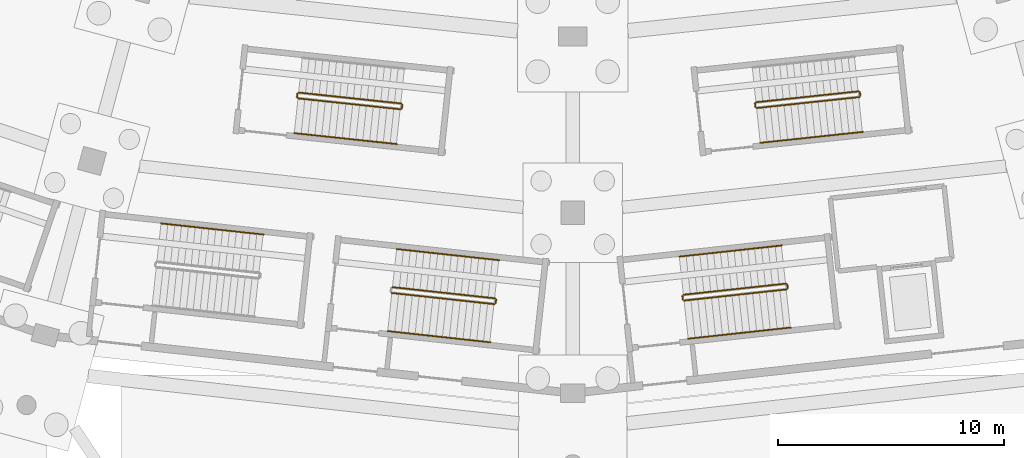
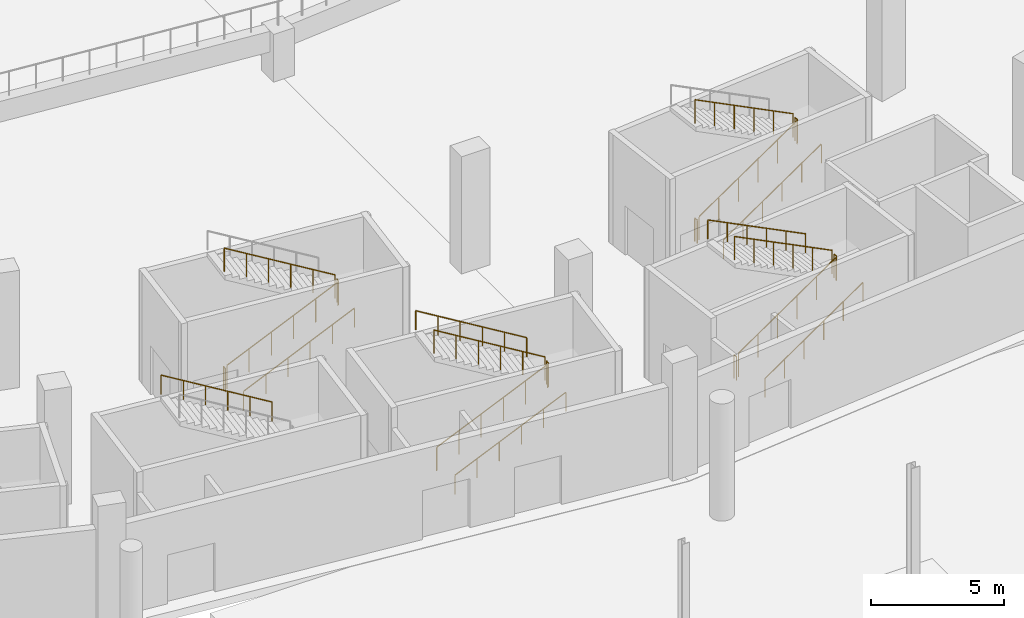
# One storey, part 62 of 103: 22 railings.
"""IFC4 building model written with IfcOpenShell, lengths in metres."""

import ifcopenshell
import ifcopenshell.guid

model = None  # the IFC model being written
_history = None  # IfcOwnerHistory: only IFC2X3 demands one
_inside = {}  # id of a spatial element -> (the spatial element, [elements in it])
_under = {}  # id of a project, library or spatial element -> (it, [spatial elements below it])
_declared = {}  # id of a project -> (the project, [libraries it declares])
_typed = {}  # id of a type object -> (the type object, [elements of that type])
_made_of = {}  # id of a material, layer set ... -> (it, [elements and type objects made of it])


def new_model(schema):
    """Start an empty IFC model of exactly this schema.

    Asked for "IFC4X3", IfcOpenShell would pick the latest addendum, in which some entities
    have other attributes; the version numbers below select the first issue.
    IFC2X3 requires an IfcOwnerHistory on every rooted entity: one is made here for all.
    """
    global model, _history
    if schema == "IFC4X3":
        model = ifcopenshell.file(schema_version=(4, 3, 0, 0))
    else:
        model = ifcopenshell.file(schema=schema)
    _inside.clear()
    _under.clear()
    _declared.clear()
    _typed.clear()
    _made_of.clear()
    _history = None
    if model.schema == "IFC2X3":
        org = make("IfcOrganization", Name="unknown")
        user = make(
            "IfcPersonAndOrganization",
            ThePerson=make("IfcPerson", FamilyName="unknown"),
            TheOrganization=org,
        )
        app = make(
            "IfcApplication",
            ApplicationDeveloper=org,
            Version="unknown",
            ApplicationFullName="unknown",
            ApplicationIdentifier="unknown",
        )
        _history = make(
            "IfcOwnerHistory",
            OwningUser=user,
            OwningApplication=app,
            ChangeAction="ADDED",
            CreationDate=0,
        )
    return model


def make(cls, **values):
    """One entity of the class cls with the attributes given. An attribute that is None is left unset."""
    return model.create_entity(
        cls, **{name: value for name, value in values.items() if value is not None}
    )


def rooted(cls, **values):
    """An entity with a GlobalId (a new one), such as an element, a storey or a relation."""
    return make(cls, GlobalId=ifcopenshell.guid.new(), OwnerHistory=_history, **values)


def si_unit(unit_type, name, prefix=None):
    """IfcSIUnit, for example si_unit("LENGTHUNIT", "METRE", prefix="MILLI")."""
    return make("IfcSIUnit", UnitType=unit_type, Prefix=prefix, Name=name)


def assignment(units):
    """IfcUnitAssignment: the units of a project."""
    return None if units is None else make("IfcUnitAssignment", Units=units)


def point(xyz):
    """IfcCartesianPoint."""
    return None if xyz is None else make("IfcCartesianPoint", Coordinates=xyz)


def direction(xyz):
    """IfcDirection."""
    return None if xyz is None else make("IfcDirection", DirectionRatios=xyz)


def frame(location, z_axis=None, x_axis=None):
    """IfcAxis2Placement3D, a coordinate frame: its origin and axes. An axis left out is left unset."""
    return make(
        "IfcAxis2Placement3D",
        Location=point(location),
        Axis=direction(z_axis),
        RefDirection=direction(x_axis),
    )


def frame_2d(location, x_axis=None):
    """IfcAxis2Placement2D, a coordinate frame in the plane: its origin and x axis."""
    return make(
        "IfcAxis2Placement2D", Location=point(location), RefDirection=direction(x_axis)
    )


def origin():
    """The frame at (0, 0, 0) with its axes left unset."""
    return frame((0.0, 0.0, 0.0))


def origin_2d():
    """The frame at (0, 0) in the plane with its x axis left unset."""
    return frame_2d((0.0, 0.0))


def place(relative_to, where):
    """IfcLocalPlacement: puts the frame where relative to a parent placement (None: the world)."""
    return make(
        "IfcLocalPlacement", PlacementRelTo=relative_to, RelativePlacement=where
    )


def context(
    kind, dimensions, precision=None, world=None, true_north=None, identifier=None
):
    """IfcGeometricRepresentationContext, for example the 3D "Model" context."""
    return make(
        "IfcGeometricRepresentationContext",
        ContextIdentifier=identifier,
        ContextType=kind,
        CoordinateSpaceDimension=dimensions,
        Precision=precision,
        WorldCoordinateSystem=world,
        TrueNorth=true_north,
    )


def subcontext(parent, identifier, kind, view, scale=None):
    """IfcGeometricRepresentationSubContext, for example "Body" below "Model"."""
    return make(
        "IfcGeometricRepresentationSubContext",
        ContextIdentifier=identifier,
        ContextType=kind,
        ParentContext=parent,
        TargetScale=scale,
        TargetView=view,
    )


def project(units=None, contexts=None):
    """IfcProject with its units and contexts."""
    return rooted(
        "IfcProject",
        Name="project",
        RepresentationContexts=contexts,
        UnitsInContext=assignment(units),
    )


def spatial(cls, under=None, at=None, **own):
    """A site, building, storey or space (cls), placed at a placement, below another one or the project."""
    s = rooted(cls, ObjectPlacement=at, **own)
    if under is not None:
        _under.setdefault(under.id(), (under, []))[1].append(s)
    return s


def profile(cls, at=None, kind="AREA", **sizes):
    """A parametric profile (cls). Its sizes go by their IFC names, for example OverallWidth=200.0."""
    return make(cls, ProfileType=kind, Position=at, **sizes)


def circle(**sizes):
    """IfcCircleProfileDef."""
    return profile("IfcCircleProfileDef", **sizes)


def extrude(swept, where, along, depth):
    """IfcExtrudedAreaSolid: the profile swept, set in the frame where, extruded along a direction by depth."""
    return make(
        "IfcExtrudedAreaSolid",
        SweptArea=swept,
        Position=where,
        ExtrudedDirection=direction(along),
        Depth=depth,
    )


def shape(context_of_items, identifier, shape_type, items):
    """IfcShapeRepresentation: the items that make up one representation, for example the "Body"."""
    return make(
        "IfcShapeRepresentation",
        ContextOfItems=context_of_items,
        RepresentationIdentifier=identifier,
        RepresentationType=shape_type,
        Items=items,
    )


def material(Name=None, Category=None):
    """IfcMaterial."""
    return make("IfcMaterial", Name=Name, Category=Category)


def made_of(thing, what):
    """Note that an element or type object is made of a material, layer set ...; save() writes the relation."""
    if what is not None:
        _made_of.setdefault(what.id(), (what, []))[1].append(thing)
    return thing


def type_object(cls, material=None, **own):
    """A type object (cls), such as IfcWallType, which elements share."""
    return made_of(rooted(cls, **own), material)


def element(
    cls,
    number,
    at=None,
    inside=None,
    cuts=None,
    type_object=None,
    material=None,
    context=None,
    identifier="Body",
    shape_type=None,
    held_by="IfcProductDefinitionShape",
    body=None,
    shapes=None,
    **own,
):
    """One element of the class cls, such as IfcWall. Its Tag is "e" and its number.

    at: its placement. inside: the storey or other place that contains it. cuts: it is an
    opening in that element (IfcRelVoidsElement). A single representation is given by context,
    identifier, shape_type and body (its items); several are given by shapes. held_by: the class
    of the entity that holds the representations. save() writes the other relations.
    """
    e = rooted(cls, Tag="e%d" % number, ObjectPlacement=at, **own)
    if body is not None:
        shapes = [shape(context, identifier, shape_type, body)]
    if shapes is not None:
        e.Representation = make(held_by, Representations=shapes)
    if inside is not None:
        _inside.setdefault(inside.id(), (inside, []))[1].append(e)
    if cuts is not None:
        rooted(
            "IfcRelVoidsElement", RelatingBuildingElement=cuts, RelatedOpeningElement=e
        )
    if type_object is not None:
        _typed.setdefault(type_object.id(), (type_object, []))[1].append(e)
    return made_of(e, material)


def aggregate(whole, parts):
    """IfcRelAggregates: a whole, such as a stair, and the parts it consists of."""
    return rooted("IfcRelAggregates", RelatingObject=whole, RelatedObjects=parts)


def save(model, path):
    """Write the relations noted so far, then the file.

    IfcRelAggregates (storeys below a building ...), IfcRelContainedInSpatialStructure (elements
    in a storey), IfcRelDefinesByType, IfcRelAssociatesMaterial and IfcRelDeclares: one each for
    every whole, place, type object, material and project.
    """
    for whole, parts in _under.values():
        aggregate(whole, parts)
    for where, things in _inside.values():
        rooted(
            "IfcRelContainedInSpatialStructure",
            RelatedElements=things,
            RelatingStructure=where,
        )
    for kind, things in _typed.values():
        rooted("IfcRelDefinesByType", RelatedObjects=things, RelatingType=kind)
    for what, things in _made_of.values():
        rooted("IfcRelAssociatesMaterial", RelatedObjects=things, RelatingMaterial=what)
    for by, libraries in _declared.values():
        rooted("IfcRelDeclares", RelatingContext=by, RelatedDefinitions=libraries)
    model.write(path)


model = new_model("IFC4")

# Units and contexts
model_context = context("Model", 3, precision=1e-05, world=origin(), true_north=direction((0.0, 1.0)))
body_context = subcontext(model_context, "Body", "Model", "MODEL_VIEW")
ifc_project = project(units=[si_unit("LENGTHUNIT", "METRE"), si_unit("AREAUNIT", "SQUARE_METRE"), si_unit("VOLUMEUNIT", "CUBIC_METRE"), si_unit("PLANEANGLEUNIT", "RADIAN"), si_unit("MASSUNIT", "GRAM", prefix="KILO")], contexts=[model_context])

# Site, building, storey
site_placement = place(None, origin())
site = spatial("IfcSite", under=ifc_project, at=site_placement, CompositionType="ELEMENT")
building_placement = place(site_placement, origin())
building = spatial("IfcBuilding", under=site, at=building_placement, Name="Zevraka Park Crest Stadium", CompositionType="ELEMENT")
storey_placement = place(building_placement, origin())
storey = spatial("IfcBuildingStorey", under=building, at=storey_placement, Name="L00", CompositionType="ELEMENT", Elevation=0.0)

# Railings
ifc_material_1 = material(Name="Powder-coated tubular steel stairwell guard", Category="steel")
railing_type_1 = type_object("IfcRailingType", Name="GR03", PredefinedType="GUARDRAIL", material=ifc_material_1)
railing_1_placement = place(storey_placement, frame((116.932861328125, 20.80615234375, 0.168701171875)))
element("IfcRailing", 1, at=railing_1_placement, inside=storey, type_object=railing_type_1, Name="L00 ST19 stair guard 1", PredefinedType="GUARDRAIL", context=body_context, shape_type="SweptSolid", body=[
    extrude(circle(Radius=0.02392578125, at=origin_2d()), frame((0.0, 0.0, 1.076171875), z_axis=(0.869861004761, 0.094695266394, 0.484122545352), x_axis=(-0.108223136073, 0.994126628161, 0.0)), (0.0, 0.0, 1.0), 5.228515625),
    extrude(circle(Radius=0.02099609375, at=origin_2d()), origin(), (0.0, 0.0, 1.0), 1.052001953125),
    extrude(circle(Radius=0.02099609375, at=origin_2d()), frame((0.90966796875, 0.09912109375, 0.50634765625)), (0.0, 0.0, 1.0), 1.052001953125),
    extrude(circle(Radius=0.02099609375, at=origin_2d()), frame((1.8193359375, 0.197998046875, 1.012451171875)), (0.0, 0.0, 1.0), 1.052001953125),
    extrude(circle(Radius=0.02099609375, at=origin_2d()), frame((2.728759765625, 0.297119140625, 1.518798828125)), (0.0, 0.0, 1.0), 1.052001953125),
    extrude(circle(Radius=0.02099609375, at=origin_2d()), frame((3.638427734375, 0.39599609375, 2.02490234375)), (0.0, 0.0, 1.0), 1.052001953125),
    extrude(circle(Radius=0.02099609375, at=origin_2d()), frame((4.548095703125, 0.4951171875, 2.53125)), (0.0, 0.0, 1.0), 1.052001953125),
])
railing_2_placement = place(storey_placement, frame((121.525390625, 21.3564453125, 2.699951171875)))
element("IfcRailing", 2, at=railing_2_placement, inside=storey, type_object=railing_type_1, Name="L00 ST19 stair guard 2", PredefinedType="GUARDRAIL", context=body_context, shape_type="SweptSolid", body=[
    extrude(circle(Radius=0.02392578125, at=origin_2d()), frame((0.0, 0.0, 1.076171875), z_axis=(-0.108255734054, 0.994123078921, 0.0), x_axis=(-0.994123078921, -0.108255734054, 0.0)), (0.0, 0.0, 1.0), 0.16015625),
    extrude(circle(Radius=0.02099609375, at=origin_2d()), origin(), (0.0, 0.0, 1.0), 1.052001953125),
    extrude(circle(Radius=0.02099609375, at=origin_2d()), frame((-0.017333984375, 0.1591796875, 0.0)), (0.0, 0.0, 1.0), 1.052001953125),
])
railing_3_placement = place(storey_placement, frame((121.452880859375, 21.559814453125, 2.86865234375)))
element("IfcRailing", 3, at=railing_3_placement, inside=storey, type_object=railing_type_1, Name="L00 ST19 stair guard 3", PredefinedType="GUARDRAIL", context=body_context, shape_type="SweptSolid", body=[
    extrude(circle(Radius=0.02392578125, at=origin_2d()), frame((0.0, 0.0, 1.076171875), z_axis=(-0.869861004761, -0.094695266394, 0.484122545352), x_axis=(0.108223136073, -0.994126628161, 0.0)), (0.0, 0.0, 1.0), 5.228515625),
    extrude(circle(Radius=0.02099609375, at=origin_2d()), origin(), (0.0, 0.0, 1.0), 1.052001953125),
    extrude(circle(Radius=0.02099609375, at=origin_2d()), frame((-0.90966796875, -0.09912109375, 0.50634765625)), (0.0, 0.0, 1.0), 1.052001953125),
    extrude(circle(Radius=0.02099609375, at=origin_2d()), frame((-1.8193359375, -0.197998046875, 1.012451171875)), (0.0, 0.0, 1.0), 1.052001953125),
    extrude(circle(Radius=0.02099609375, at=origin_2d()), frame((-2.728759765625, -0.297119140625, 1.518798828125)), (0.0, 0.0, 1.0), 1.052001953125),
    extrude(circle(Radius=0.02099609375, at=origin_2d()), frame((-3.638427734375, -0.39599609375, 2.02490234375)), (0.0, 0.0, 1.0), 1.052001953125),
    extrude(circle(Radius=0.02099609375, at=origin_2d()), frame((-4.548095703125, -0.4951171875, 2.53125)), (0.0, 0.0, 1.0), 1.052001953125),
])
railing_4_placement = place(storey_placement, frame((116.8779296875, 20.8505859375, 0.0)))
element("IfcRailing", 4, at=railing_4_placement, inside=storey, type_object=railing_type_1, Name="L00 ST19 stair guard 4", PredefinedType="GUARDRAIL", context=body_context, shape_type="SweptSolid", body=[
    extrude(circle(Radius=0.02392578125, at=origin_2d()), frame((0.0, 0.0, 1.076171875), z_axis=(-0.108420072245, 0.994105169454, 0.0), x_axis=(-0.994105169454, -0.108420072245, 0.0)), (0.0, 0.0, 1.0), 0.159912109375),
    extrude(circle(Radius=0.02099609375, at=origin_2d()), origin(), (0.0, 0.0, 1.0), 1.052001953125),
    extrude(circle(Radius=0.02099609375, at=origin_2d()), frame((-0.017333984375, 0.158935546875, 0.0)), (0.0, 0.0, 1.0), 1.052001953125),
])
railing_5_placement = place(storey_placement, frame((103.984619140625, 21.14208984375, 0.168701171875)))
element("IfcRailing", 5, at=railing_5_placement, inside=storey, type_object=railing_type_1, Name="L00 ST30 stair guard 1", PredefinedType="GUARDRAIL", context=body_context, shape_type="SweptSolid", body=[
    extrude(circle(Radius=0.02392578125, at=origin_2d()), frame((0.0, 0.0, 1.076171875), z_axis=(0.869864850097, -0.094648990882, 0.48412468548), x_axis=(0.108170396169, 0.994132368145, 0.0)), (0.0, 0.0, 1.0), 5.228515625),
    extrude(circle(Radius=0.02099609375, at=origin_2d()), origin(), (0.0, 0.0, 1.0), 1.052001953125),
    extrude(circle(Radius=0.02099609375, at=origin_2d()), frame((0.90966796875, -0.098876953125, 0.50634765625)), (0.0, 0.0, 1.0), 1.052001953125),
    extrude(circle(Radius=0.02099609375, at=origin_2d()), frame((1.8193359375, -0.197998046875, 1.012451171875)), (0.0, 0.0, 1.0), 1.052001953125),
    extrude(circle(Radius=0.02099609375, at=origin_2d()), frame((2.728759765625, -0.296875, 1.518798828125)), (0.0, 0.0, 1.0), 1.052001953125),
    extrude(circle(Radius=0.02099609375, at=origin_2d()), frame((3.638427734375, -0.39599609375, 2.02490234375)), (0.0, 0.0, 1.0), 1.052001953125),
    extrude(circle(Radius=0.02099609375, at=origin_2d()), frame((4.548095703125, -0.494873046875, 2.53125)), (0.0, 0.0, 1.0), 1.052001953125),
])
railing_6_placement = place(storey_placement, frame((108.587890625, 20.69140625, 2.699951171875)))
element("IfcRailing", 6, at=railing_6_placement, inside=storey, type_object=railing_type_1, Name="L00 ST30 stair guard 2", PredefinedType="GUARDRAIL", context=body_context, shape_type="SweptSolid", body=[
    extrude(circle(Radius=0.02392578125, at=origin_2d()), frame((0.0, 0.0, 1.076171875), z_axis=(0.108420072245, 0.994105169454, 0.0), x_axis=(-0.994105169454, 0.108420072245, 0.0)), (0.0, 0.0, 1.0), 0.159912109375),
    extrude(circle(Radius=0.02099609375, at=origin_2d()), origin(), (0.0, 0.0, 1.0), 1.052001953125),
    extrude(circle(Radius=0.02099609375, at=origin_2d()), frame((0.017333984375, 0.158935546875, 0.0)), (0.0, 0.0, 1.0), 1.052001953125),
])
railing_7_placement = place(storey_placement, frame((108.56103515625, 20.905517578125, 2.86865234375)))
element("IfcRailing", 7, at=railing_7_placement, inside=storey, type_object=railing_type_1, Name="L00 ST30 stair guard 3", PredefinedType="GUARDRAIL", context=body_context, shape_type="SweptSolid", body=[
    extrude(circle(Radius=0.02392578125, at=origin_2d()), frame((0.0, 0.0, 1.076171875), z_axis=(-0.869861004761, 0.094695266394, 0.484122545352), x_axis=(-0.108223136073, -0.994126628161, 0.0)), (0.0, 0.0, 1.0), 5.228515625),
    extrude(circle(Radius=0.02099609375, at=origin_2d()), origin(), (0.0, 0.0, 1.0), 1.052001953125),
    extrude(circle(Radius=0.02099609375, at=origin_2d()), frame((-0.90966796875, 0.09912109375, 0.50634765625)), (0.0, 0.0, 1.0), 1.052001953125),
    extrude(circle(Radius=0.02099609375, at=origin_2d()), frame((-1.8193359375, 0.197998046875, 1.012451171875)), (0.0, 0.0, 1.0), 1.052001953125),
    extrude(circle(Radius=0.02099609375, at=origin_2d()), frame((-2.728759765625, 0.297119140625, 1.518798828125)), (0.0, 0.0, 1.0), 1.052001953125),
    extrude(circle(Radius=0.02099609375, at=origin_2d()), frame((-3.638427734375, 0.39599609375, 2.02490234375)), (0.0, 0.0, 1.0), 1.052001953125),
    extrude(circle(Radius=0.02099609375, at=origin_2d()), frame((-4.548095703125, 0.4951171875, 2.53125)), (0.0, 0.0, 1.0), 1.052001953125),
])
railing_8_placement = place(storey_placement, frame((99.82666015625, 29.7646484375, 0.168701171875)))
element("IfcRailing", 8, at=railing_8_placement, inside=storey, type_object=railing_type_1, Name="L00 ST41 stair guard 1", PredefinedType="GUARDRAIL", context=body_context, shape_type="SweptSolid", body=[
    extrude(circle(Radius=0.02392578125, at=origin_2d()), frame((0.0, 0.0, 1.076171875), z_axis=(0.870085191111, -0.092639745581, 0.484117380135), x_axis=(0.105873624194, 0.994379593365, 0.0)), (0.0, 0.0, 1.0), 5.228515625),
    extrude(circle(Radius=0.02099609375, at=origin_2d()), origin(), (0.0, 0.0, 1.0), 1.052001953125),
    extrude(circle(Radius=0.02099609375, at=origin_2d()), frame((0.909912109375, -0.096923828125, 0.50634765625)), (0.0, 0.0, 1.0), 1.052001953125),
    extrude(circle(Radius=0.02099609375, at=origin_2d()), frame((1.81982421875, -0.19384765625, 1.012451171875)), (0.0, 0.0, 1.0), 1.052001953125),
    extrude(circle(Radius=0.02099609375, at=origin_2d()), frame((2.7294921875, -0.29052734375, 1.518798828125)), (0.0, 0.0, 1.0), 1.052001953125),
    extrude(circle(Radius=0.02099609375, at=origin_2d()), frame((3.639404296875, -0.387451171875, 2.02490234375)), (0.0, 0.0, 1.0), 1.052001953125),
    extrude(circle(Radius=0.02099609375, at=origin_2d()), frame((4.54931640625, -0.484375, 2.53125)), (0.0, 0.0, 1.0), 1.052001953125),
])
railing_9_placement = place(storey_placement, frame((104.430908203125, 29.32470703125, 2.699951171875)))
element("IfcRailing", 9, at=railing_9_placement, inside=storey, type_object=railing_type_1, Name="L00 ST41 stair guard 2", PredefinedType="GUARDRAIL", context=body_context, shape_type="SweptSolid", body=[
    extrude(circle(Radius=0.02392578125, at=origin_2d()), frame((0.0, 0.0, 1.076171875), z_axis=(0.105240535143, 0.994446795843, 0.0), x_axis=(-0.994446795843, 0.105240535143, 0.0)), (0.0, 0.0, 1.0), 0.16015625),
    extrude(circle(Radius=0.02099609375, at=origin_2d()), origin(), (0.0, 0.0, 1.0), 1.052001953125),
    extrude(circle(Radius=0.02099609375, at=origin_2d()), frame((0.016845703125, 0.1591796875, 0.0)), (0.0, 0.0, 1.0), 1.052001953125),
])
railing_10_placement = place(storey_placement, frame((104.4033203125, 29.538818359375, 2.86865234375)))
element("IfcRailing", 10, at=railing_10_placement, inside=storey, type_object=railing_type_1, Name="L00 ST41 stair guard 3", PredefinedType="GUARDRAIL", context=body_context, shape_type="SweptSolid", body=[
    extrude(circle(Radius=0.02392578125, at=origin_2d()), frame((0.0, 0.0, 1.076171875), z_axis=(-0.870085191111, 0.092639745581, 0.484117380135), x_axis=(-0.105873624194, -0.994379593365, 0.0)), (0.0, 0.0, 1.0), 5.228515625),
    extrude(circle(Radius=0.02099609375, at=origin_2d()), origin(), (0.0, 0.0, 1.0), 1.052001953125),
    extrude(circle(Radius=0.02099609375, at=origin_2d()), frame((-0.909912109375, 0.096923828125, 0.50634765625)), (0.0, 0.0, 1.0), 1.052001953125),
    extrude(circle(Radius=0.02099609375, at=origin_2d()), frame((-1.81982421875, 0.19384765625, 1.012451171875)), (0.0, 0.0, 1.0), 1.052001953125),
    extrude(circle(Radius=0.02099609375, at=origin_2d()), frame((-2.7294921875, 0.29052734375, 1.518798828125)), (0.0, 0.0, 1.0), 1.052001953125),
    extrude(circle(Radius=0.02099609375, at=origin_2d()), frame((-3.639404296875, 0.387451171875, 2.02490234375)), (0.0, 0.0, 1.0), 1.052001953125),
    extrude(circle(Radius=0.02099609375, at=origin_2d()), frame((-4.54931640625, 0.484375, 2.53125)), (0.0, 0.0, 1.0), 1.052001953125),
])
railing_11_placement = place(storey_placement, frame((99.7822265625, 29.819580078125, 0.0)))
element("IfcRailing", 11, at=railing_11_placement, inside=storey, type_object=railing_type_1, Name="L00 ST41 stair guard 4", PredefinedType="GUARDRAIL", context=body_context, shape_type="SweptSolid", body=[
    extrude(circle(Radius=0.02392578125, at=origin_2d()), frame((0.0, 0.0, 1.076171875), z_axis=(0.105240535143, 0.994446795843, 0.0), x_axis=(-0.994446795843, 0.105240535143, 0.0)), (0.0, 0.0, 1.0), 0.16015625),
    extrude(circle(Radius=0.02099609375, at=origin_2d()), origin(), (0.0, 0.0, 1.0), 1.052001953125),
    extrude(circle(Radius=0.02099609375, at=origin_2d()), frame((0.016845703125, 0.1591796875, 0.0)), (0.0, 0.0, 1.0), 1.052001953125),
])
railing_12_placement = place(storey_placement, frame((120.145751953125, 29.33642578125, 0.168701171875)))
element("IfcRailing", 12, at=railing_12_placement, inside=storey, type_object=railing_type_1, Name="L00 ST42 stair guard 1", PredefinedType="GUARDRAIL", context=body_context, shape_type="SweptSolid", body=[
    extrude(circle(Radius=0.02392578125, at=origin_2d()), frame((0.0, 0.0, 1.076171875), z_axis=(0.870088953885, 0.09259345259, 0.484119473751), x_axis=(-0.105820858191, 0.994385210053, 0.0)), (0.0, 0.0, 1.0), 5.228515625),
    extrude(circle(Radius=0.02099609375, at=origin_2d()), origin(), (0.0, 0.0, 1.0), 1.052001953125),
    extrude(circle(Radius=0.02099609375, at=origin_2d()), frame((0.909912109375, 0.096923828125, 0.50634765625)), (0.0, 0.0, 1.0), 1.052001953125),
    extrude(circle(Radius=0.02099609375, at=origin_2d()), frame((1.81982421875, 0.193603515625, 1.012451171875)), (0.0, 0.0, 1.0), 1.052001953125),
    extrude(circle(Radius=0.02099609375, at=origin_2d()), frame((2.7294921875, 0.29052734375, 1.518798828125)), (0.0, 0.0, 1.0), 1.052001953125),
    extrude(circle(Radius=0.02099609375, at=origin_2d()), frame((3.639404296875, 0.38720703125, 2.02490234375)), (0.0, 0.0, 1.0), 1.052001953125),
    extrude(circle(Radius=0.02099609375, at=origin_2d()), frame((4.54931640625, 0.484130859375, 2.53125)), (0.0, 0.0, 1.0), 1.052001953125),
])
railing_13_placement = place(storey_placement, frame((124.739501953125, 29.875732421875, 2.699951171875)))
element("IfcRailing", 13, at=railing_13_placement, inside=storey, type_object=railing_type_1, Name="L00 ST42 stair guard 2", PredefinedType="GUARDRAIL", context=body_context, shape_type="SweptSolid", body=[
    extrude(circle(Radius=0.02392578125, at=origin_2d()), frame((0.0, 0.0, 1.076171875), z_axis=(-0.105400400395, 0.994429864594, 0.0), x_axis=(-0.994429864594, -0.105400400395, 0.0)), (0.0, 0.0, 1.0), 0.159912109375),
    extrude(circle(Radius=0.02099609375, at=origin_2d()), origin(), (0.0, 0.0, 1.0), 1.052001953125),
    extrude(circle(Radius=0.02099609375, at=origin_2d()), frame((-0.016845703125, 0.158935546875, 0.0)), (0.0, 0.0, 1.0), 1.052001953125),
])
railing_14_placement = place(storey_placement, frame((124.667724609375, 30.0791015625, 2.86865234375)))
element("IfcRailing", 14, at=railing_14_placement, inside=storey, type_object=railing_type_1, Name="L00 ST42 stair guard 3", PredefinedType="GUARDRAIL", context=body_context, shape_type="SweptSolid", body=[
    extrude(circle(Radius=0.02392578125, at=origin_2d()), frame((0.0, 0.0, 1.076171875), z_axis=(-0.870088953885, -0.09259345259, 0.484119473751), x_axis=(0.105820858191, -0.994385210053, 0.0)), (0.0, 0.0, 1.0), 5.228515625),
    extrude(circle(Radius=0.02099609375, at=origin_2d()), origin(), (0.0, 0.0, 1.0), 1.052001953125),
    extrude(circle(Radius=0.02099609375, at=origin_2d()), frame((-0.909912109375, -0.096923828125, 0.50634765625)), (0.0, 0.0, 1.0), 1.052001953125),
    extrude(circle(Radius=0.02099609375, at=origin_2d()), frame((-1.81982421875, -0.193603515625, 1.012451171875)), (0.0, 0.0, 1.0), 1.052001953125),
    extrude(circle(Radius=0.02099609375, at=origin_2d()), frame((-2.7294921875, -0.29052734375, 1.518798828125)), (0.0, 0.0, 1.0), 1.052001953125),
    extrude(circle(Radius=0.02099609375, at=origin_2d()), frame((-3.639404296875, -0.38720703125, 2.02490234375)), (0.0, 0.0, 1.0), 1.052001953125),
    extrude(circle(Radius=0.02099609375, at=origin_2d()), frame((-4.54931640625, -0.484130859375, 2.53125)), (0.0, 0.0, 1.0), 1.052001953125),
])
railing_15_placement = place(storey_placement, frame((120.0908203125, 29.380859375, 0.0)))
element("IfcRailing", 15, at=railing_15_placement, inside=storey, type_object=railing_type_1, Name="L00 ST42 stair guard 4", PredefinedType="GUARDRAIL", context=body_context, shape_type="SweptSolid", body=[
    extrude(circle(Radius=0.02392578125, at=origin_2d()), frame((0.0, 0.0, 1.076171875), z_axis=(-0.105400400395, 0.994429864594, 0.0), x_axis=(-0.994429864594, -0.105400400395, 0.0)), (0.0, 0.0, 1.0), 0.159912109375),
    extrude(circle(Radius=0.02099609375, at=origin_2d()), origin(), (0.0, 0.0, 1.0), 1.052001953125),
    extrude(circle(Radius=0.02099609375, at=origin_2d()), frame((-0.016845703125, 0.158935546875, 0.0)), (0.0, 0.0, 1.0), 1.052001953125),
])
ifc_material_2 = material(Name="Brushed stainless steel continuous handrail", Category="steel")
railing_type_2 = type_object("IfcRailingType", Name="HR01", PredefinedType="HANDRAIL", material=ifc_material_2)
railing_16_placement = place(storey_placement, frame((98.306884765625, 23.731689453125, 2.86865234375)))
element("IfcRailing", 16, at=railing_16_placement, inside=storey, type_object=railing_type_2, Name="L00 ST18 stair handrail 2", PredefinedType="HANDRAIL", context=body_context, shape_type="SweptSolid", body=[
    extrude(circle(Radius=0.02392578125, at=origin_2d()), frame((0.0, 0.0, 0.8759765625), z_axis=(-0.869864850097, 0.094648990882, 0.48412468548), x_axis=(-0.108170396169, -0.994132368145, 0.0)), (0.0, 0.0, 1.0), 5.228515625),
    extrude(circle(Radius=0.02099609375, at=origin_2d()), origin(), (0.0, 0.0, 1.0), 0.851806640625),
    extrude(circle(Radius=0.02099609375, at=origin_2d()), frame((-0.90966796875, 0.098876953125, 0.50634765625)), (0.0, 0.0, 1.0), 0.851806640625),
    extrude(circle(Radius=0.02099609375, at=origin_2d()), frame((-1.8193359375, 0.197998046875, 1.012451171875)), (0.0, 0.0, 1.0), 0.851806640625),
    extrude(circle(Radius=0.02099609375, at=origin_2d()), frame((-2.728759765625, 0.296875, 1.518798828125)), (0.0, 0.0, 1.0), 0.851806640625),
    extrude(circle(Radius=0.02099609375, at=origin_2d()), frame((-3.638427734375, 0.39599609375, 2.02490234375)), (0.0, 0.0, 1.0), 0.851806640625),
    extrude(circle(Radius=0.02099609375, at=origin_2d()), frame((-4.548095703125, 0.494873046875, 2.53125)), (0.0, 0.0, 1.0), 0.851806640625),
])
railing_17_placement = place(storey_placement, frame((117.116943359375, 19.1162109375, 0.168701171875)))
element("IfcRailing", 17, at=railing_17_placement, inside=storey, type_object=railing_type_2, Name="L00 ST19 stair handrail 1", PredefinedType="HANDRAIL", context=body_context, shape_type="SweptSolid", body=[
    extrude(circle(Radius=0.02392578125, at=origin_2d()), frame((0.0, 0.0, 0.8759765625), z_axis=(0.869861004761, 0.094695266394, 0.484122545352), x_axis=(-0.108223136073, 0.994126628161, 0.0)), (0.0, 0.0, 1.0), 5.228515625),
    extrude(circle(Radius=0.02099609375, at=origin_2d()), origin(), (0.0, 0.0, 1.0), 0.851806640625),
    extrude(circle(Radius=0.02099609375, at=origin_2d()), frame((0.90966796875, 0.09912109375, 0.50634765625)), (0.0, 0.0, 1.0), 0.851806640625),
    extrude(circle(Radius=0.02099609375, at=origin_2d()), frame((1.8193359375, 0.197998046875, 1.012451171875)), (0.0, 0.0, 1.0), 0.851806640625),
    extrude(circle(Radius=0.02099609375, at=origin_2d()), frame((2.728759765625, 0.297119140625, 1.518798828125)), (0.0, 0.0, 1.0), 0.851806640625),
    extrude(circle(Radius=0.02099609375, at=origin_2d()), frame((3.638427734375, 0.39599609375, 2.02490234375)), (0.0, 0.0, 1.0), 0.851806640625),
    extrude(circle(Radius=0.02099609375, at=origin_2d()), frame((4.548095703125, 0.4951171875, 2.53125)), (0.0, 0.0, 1.0), 0.851806640625),
])
railing_18_placement = place(storey_placement, frame((121.26904296875, 23.249755859375, 2.86865234375)))
element("IfcRailing", 18, at=railing_18_placement, inside=storey, type_object=railing_type_2, Name="L00 ST19 stair handrail 2", PredefinedType="HANDRAIL", context=body_context, shape_type="SweptSolid", body=[
    extrude(circle(Radius=0.02392578125, at=origin_2d()), frame((0.0, 0.0, 0.8759765625), z_axis=(-0.869861004761, -0.094695266394, 0.484122545352), x_axis=(0.108223136073, -0.994126628161, 0.0)), (0.0, 0.0, 1.0), 5.228515625),
    extrude(circle(Radius=0.02099609375, at=origin_2d()), origin(), (0.0, 0.0, 1.0), 0.851806640625),
    extrude(circle(Radius=0.02099609375, at=origin_2d()), frame((-0.90966796875, -0.09912109375, 0.50634765625)), (0.0, 0.0, 1.0), 0.851806640625),
    extrude(circle(Radius=0.02099609375, at=origin_2d()), frame((-1.8193359375, -0.197998046875, 1.012451171875)), (0.0, 0.0, 1.0), 0.851806640625),
    extrude(circle(Radius=0.02099609375, at=origin_2d()), frame((-2.728759765625, -0.297119140625, 1.518798828125)), (0.0, 0.0, 1.0), 0.851806640625),
    extrude(circle(Radius=0.02099609375, at=origin_2d()), frame((-3.638427734375, -0.39599609375, 2.02490234375)), (0.0, 0.0, 1.0), 0.851806640625),
    extrude(circle(Radius=0.02099609375, at=origin_2d()), frame((-4.548095703125, -0.4951171875, 2.53125)), (0.0, 0.0, 1.0), 0.851806640625),
])
railing_19_placement = place(storey_placement, frame((103.80078125, 19.4521484375, 0.168701171875)))
element("IfcRailing", 19, at=railing_19_placement, inside=storey, type_object=railing_type_2, Name="L00 ST30 stair handrail 1", PredefinedType="HANDRAIL", context=body_context, shape_type="SweptSolid", body=[
    extrude(circle(Radius=0.02392578125, at=origin_2d()), frame((0.0, 0.0, 0.8759765625), z_axis=(0.869861004761, -0.094695266394, 0.484122545352), x_axis=(0.108223136073, 0.994126628161, 0.0)), (0.0, 0.0, 1.0), 5.228515625),
    extrude(circle(Radius=0.02099609375, at=origin_2d()), origin(), (0.0, 0.0, 1.0), 0.851806640625),
    extrude(circle(Radius=0.02099609375, at=origin_2d()), frame((0.90966796875, -0.09912109375, 0.50634765625)), (0.0, 0.0, 1.0), 0.851806640625),
    extrude(circle(Radius=0.02099609375, at=origin_2d()), frame((1.8193359375, -0.197998046875, 1.012451171875)), (0.0, 0.0, 1.0), 0.851806640625),
    extrude(circle(Radius=0.02099609375, at=origin_2d()), frame((2.728759765625, -0.297119140625, 1.518798828125)), (0.0, 0.0, 1.0), 0.851806640625),
    extrude(circle(Radius=0.02099609375, at=origin_2d()), frame((3.638427734375, -0.39599609375, 2.02490234375)), (0.0, 0.0, 1.0), 0.851806640625),
    extrude(circle(Radius=0.02099609375, at=origin_2d()), frame((4.548095703125, -0.4951171875, 2.53125)), (0.0, 0.0, 1.0), 0.851806640625),
])
railing_20_placement = place(storey_placement, frame((108.744873046875, 22.595703125, 2.86865234375)))
element("IfcRailing", 20, at=railing_20_placement, inside=storey, type_object=railing_type_2, Name="L00 ST30 stair handrail 2", PredefinedType="HANDRAIL", context=body_context, shape_type="SweptSolid", body=[
    extrude(circle(Radius=0.02392578125, at=origin_2d()), frame((0.0, 0.0, 0.8759765625), z_axis=(-0.869864850097, 0.094648990882, 0.48412468548), x_axis=(-0.108170396169, -0.994132368145, 0.0)), (0.0, 0.0, 1.0), 5.228515625),
    extrude(circle(Radius=0.02099609375, at=origin_2d()), origin(), (0.0, 0.0, 1.0), 0.851806640625),
    extrude(circle(Radius=0.02099609375, at=origin_2d()), frame((-0.90966796875, 0.098876953125, 0.50634765625)), (0.0, 0.0, 1.0), 0.851806640625),
    extrude(circle(Radius=0.02099609375, at=origin_2d()), frame((-1.8193359375, 0.197998046875, 1.012451171875)), (0.0, 0.0, 1.0), 0.851806640625),
    extrude(circle(Radius=0.02099609375, at=origin_2d()), frame((-2.728759765625, 0.296875, 1.518798828125)), (0.0, 0.0, 1.0), 0.851806640625),
    extrude(circle(Radius=0.02099609375, at=origin_2d()), frame((-3.638427734375, 0.39599609375, 2.02490234375)), (0.0, 0.0, 1.0), 0.851806640625),
    extrude(circle(Radius=0.02099609375, at=origin_2d()), frame((-4.548095703125, 0.494873046875, 2.53125)), (0.0, 0.0, 1.0), 0.851806640625),
])
railing_21_placement = place(storey_placement, frame((99.66259765625, 28.223388671875, 0.168701171875)))
element("IfcRailing", 21, at=railing_21_placement, inside=storey, type_object=railing_type_2, Name="L00 ST41 stair handrail 1", PredefinedType="HANDRAIL", context=body_context, shape_type="SweptSolid", body=[
    extrude(circle(Radius=0.02392578125, at=origin_2d()), frame((0.0, 0.0, 0.8759765625), z_axis=(0.870085191111, -0.092639745581, 0.484117380135), x_axis=(0.105873624194, 0.994379593365, 0.0)), (0.0, 0.0, 1.0), 5.228515625),
    extrude(circle(Radius=0.02099609375, at=origin_2d()), origin(), (0.0, 0.0, 1.0), 0.851806640625),
    extrude(circle(Radius=0.02099609375, at=origin_2d()), frame((0.909912109375, -0.096923828125, 0.50634765625)), (0.0, 0.0, 1.0), 0.851806640625),
    extrude(circle(Radius=0.02099609375, at=origin_2d()), frame((1.81982421875, -0.19384765625, 1.012451171875)), (0.0, 0.0, 1.0), 0.851806640625),
    extrude(circle(Radius=0.02099609375, at=origin_2d()), frame((2.7294921875, -0.29052734375, 1.518798828125)), (0.0, 0.0, 1.0), 0.851806640625),
    extrude(circle(Radius=0.02099609375, at=origin_2d()), frame((3.639404296875, -0.387451171875, 2.02490234375)), (0.0, 0.0, 1.0), 0.851806640625),
    extrude(circle(Radius=0.02099609375, at=origin_2d()), frame((4.54931640625, -0.484375, 2.53125)), (0.0, 0.0, 1.0), 0.851806640625),
])
railing_22_placement = place(storey_placement, frame((120.31005859375, 27.795166015625, 0.168701171875)))
element("IfcRailing", 22, at=railing_22_placement, inside=storey, type_object=railing_type_2, Name="L00 ST42 stair handrail 1", PredefinedType="HANDRAIL", context=body_context, shape_type="SweptSolid", body=[
    extrude(circle(Radius=0.02392578125, at=origin_2d()), frame((0.0, 0.0, 0.8759765625), z_axis=(0.870077609202, 0.092597214568, 0.484139143037), x_axis=(-0.105826473807, 0.994384612432, 0.0)), (0.0, 0.0, 1.0), 5.228271484375),
    extrude(circle(Radius=0.02099609375, at=origin_2d()), origin(), (0.0, 0.0, 1.0), 0.851806640625),
    extrude(circle(Radius=0.02099609375, at=origin_2d()), frame((0.909912109375, 0.096923828125, 0.50634765625)), (0.0, 0.0, 1.0), 0.851806640625),
    extrude(circle(Radius=0.02099609375, at=origin_2d()), frame((1.819580078125, 0.193603515625, 1.012451171875)), (0.0, 0.0, 1.0), 0.851806640625),
    extrude(circle(Radius=0.02099609375, at=origin_2d()), frame((2.7294921875, 0.29052734375, 1.518798828125)), (0.0, 0.0, 1.0), 0.851806640625),
    extrude(circle(Radius=0.02099609375, at=origin_2d()), frame((3.63916015625, 0.38720703125, 2.02490234375)), (0.0, 0.0, 1.0), 0.851806640625),
    extrude(circle(Radius=0.02099609375, at=origin_2d()), frame((4.549072265625, 0.484130859375, 2.53125)), (0.0, 0.0, 1.0), 0.851806640625),
])

save(model, "model.ifc")
